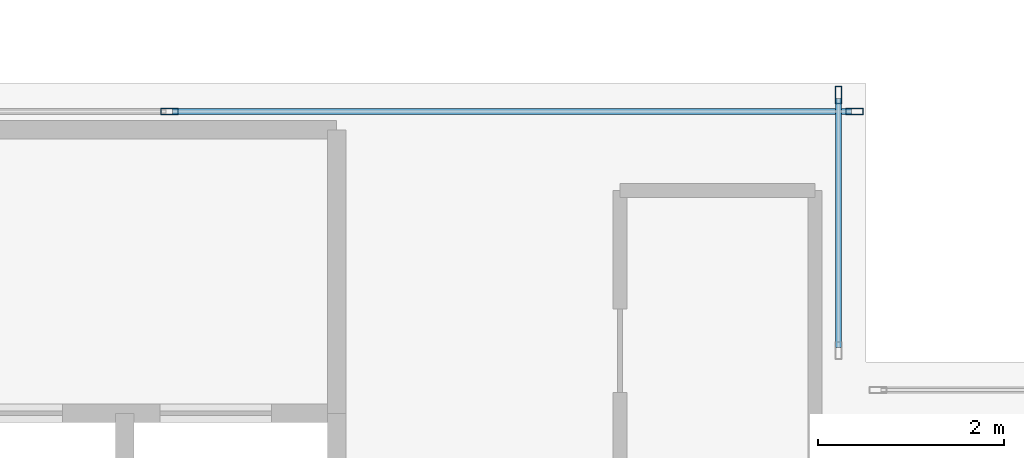
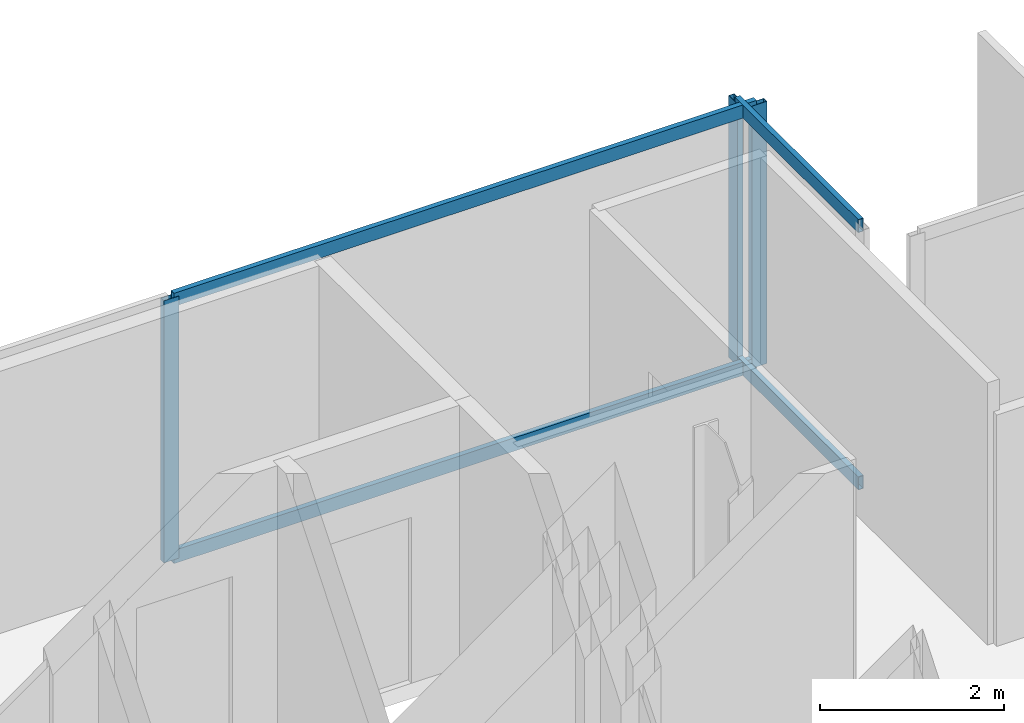
# One storey, part 13 of 26: 7 members, 2 elements without a shape of their own.
"""IFC4 building model written with IfcOpenShell, lengths in metres."""

from ifc_helpers import new_model, si_unit, direction, frame, origin, origin_2d, place, context, subcontext, project, spatial, hollow_rectangle, extrude, material, layer, layer_set, material_profile, profile_set, type_object, element, aggregate, save


model = new_model("IFC4")

# Units and contexts
model_context = context("Model", 3, precision=1e-05, world=origin(), true_north=direction((0.0, 1.0)))
body_context = subcontext(model_context, "Body", "Model", "MODEL_VIEW")
ifc_project = project(units=[si_unit("LENGTHUNIT", "METRE"), si_unit("AREAUNIT", "SQUARE_METRE"), si_unit("VOLUMEUNIT", "CUBIC_METRE"), si_unit("PLANEANGLEUNIT", "RADIAN"), si_unit("MASSUNIT", "GRAM", prefix="KILO"), si_unit("THERMODYNAMICTEMPERATUREUNIT", "KELVIN"), si_unit("POWERUNIT", "WATT")], contexts=[model_context])

# Site, building, storey
site_placement = place(None, origin())
site = spatial("IfcSite", under=ifc_project, at=site_placement, CompositionType="ELEMENT")
building_placement = place(site_placement, origin())
building = spatial("IfcBuilding", under=site, at=building_placement, Name="Svarakhadi Broadcast Tower", CompositionType="ELEMENT")
storey_placement = place(building_placement, frame((0.0, 0.0, 195.449951171875)))
storey = spatial("IfcBuildingStorey", under=building, at=storey_placement, Name="L48", CompositionType="ELEMENT", Elevation=195.449951171875)

# Curtain wall, members
ifc_material = material(Name="Anodised Bronze Aluminium AA 6063-T6", Category="aluminium")
ifc_layer = layer(ifc_material, 0.18994140625)
ifc_layer_set = layer_set([ifc_layer], Name="Anodised Bronze Aluminium AA 6063-T6")
curtain_wall_type = type_object("IfcCurtainWallType", Name="CW_Sys_04", PredefinedType="NOTDEFINED", material=ifc_layer_set)
curtain_wall_1_placement = place(storey_placement, origin())
curtain_wall_1 = element("IfcCurtainWall", 1, at=curtain_wall_1_placement, inside=storey, type_object=curtain_wall_type, Name="L48 Unitised Facade Curtain Wall 10", PredefinedType="NOTDEFINED")
ifc_material_profile_1 = material_profile(ifc_material, hollow_rectangle(XDim=0.070068359375, YDim=0.18994140625, WallThickness=0.005615234375, at=origin_2d()), Name="ALU MULLION 190x70x6")
ifc_profile_set_1 = profile_set([ifc_material_profile_1], Name="Anodised Bronze Aluminium AA 6063-T6")
member_type_1 = type_object("IfcMemberType", Name="CW_Sys_04_Mul", PredefinedType="MULLION", material=ifc_profile_set_1)
member_1_placement = place(storey_placement, frame((31.5, 23.699951171875, 0.0), z_axis=(0.0, 0.0, 1.0), x_axis=(0.0, 1.0, 0.0)))
member_1 = element("IfcMember", 2, at=member_1_placement, type_object=member_type_1, Name="CW-04 mullion 2", PredefinedType="MULLION", context=body_context, shape_type="SweptSolid", body=[
    extrude(hollow_rectangle(XDim=0.070068359375, YDim=0.18994140625, WallThickness=0.005615234375, at=origin_2d()), origin(), (0.0, 0.0, 1.0), 3.47509765625),
])
member_2_placement = place(storey_placement, frame((38.875, 23.699951171875, 0.0), z_axis=(0.0, 0.0, 1.0), x_axis=(0.0, 1.0, 0.0)))
member_2 = element("IfcMember", 3, at=member_2_placement, type_object=member_type_1, Name="CW-04 mullion 3", PredefinedType="MULLION", context=body_context, shape_type="SweptSolid", body=[
    extrude(hollow_rectangle(XDim=0.070068359375, YDim=0.18994140625, WallThickness=0.005615234375, at=origin_2d()), origin(), (0.0, 0.0, 1.0), 3.47509765625),
])

# Curtain wall, member
curtain_wall_2_placement = place(storey_placement, origin())
curtain_wall_2 = element("IfcCurtainWall", 4, at=curtain_wall_2_placement, inside=storey, type_object=curtain_wall_type, Name="L48 Unitised Facade Curtain Wall 11", PredefinedType="NOTDEFINED")
member_3_placement = place(storey_placement, frame((38.699951171875, 23.875, 0.0), z_axis=(0.0, 0.0, 1.0), x_axis=(1.0, 0.0, 0.0)))
member_3 = element("IfcMember", 5, at=member_3_placement, type_object=member_type_1, Name="CW-04 mullion 1", PredefinedType="MULLION", context=body_context, shape_type="SweptSolid", body=[
    extrude(hollow_rectangle(XDim=0.070068359375, YDim=0.18994140625, WallThickness=0.005615234375, at=origin_2d()), origin(), (0.0, 0.0, 1.0), 3.47509765625),
])

# Member
ifc_material_profile_2 = material_profile(ifc_material, hollow_rectangle(XDim=0.06494140625, YDim=0.175048828125, WallThickness=0.0048828125, at=origin_2d()), Name="ALU TRANSOM 175x65x5")
ifc_profile_set_2 = profile_set([ifc_material_profile_2], Name="Anodised Bronze Aluminium AA 6063-T6")
member_type_2 = type_object("IfcMemberType", Name="CW_Sys_04_Trn", PredefinedType="USERDEFINED", material=ifc_profile_set_2)
member_4_placement = place(storey_placement, frame((31.534912109375, 23.699951171875, 0.032470703125), z_axis=(1.0, 0.0, 0.0), x_axis=(0.0, 1.0, 0.0)))
member_4 = element("IfcMember", 6, at=member_4_placement, type_object=member_type_2, Name="CW-04 transom 2.1", ObjectType="TRANSOM", PredefinedType="USERDEFINED", context=body_context, shape_type="SweptSolid", body=[
    extrude(hollow_rectangle(XDim=0.06494140625, YDim=0.175048828125, WallThickness=0.0048828125, at=origin_2d()), origin(), (0.0, 0.0, 1.0), 7.30517578125),
])

member_5_placement = place(storey_placement, frame((31.534912109375, 23.699951171875, 3.442626953125), z_axis=(1.0, 0.0, 0.0), x_axis=(0.0, 1.0, 0.0)))
member_5 = element("IfcMember", 7, at=member_5_placement, type_object=member_type_2, Name="CW-04 transom 2.2", ObjectType="TRANSOM", PredefinedType="USERDEFINED", context=body_context, shape_type="SweptSolid", body=[
    extrude(hollow_rectangle(XDim=0.06494140625, YDim=0.175048828125, WallThickness=0.0048828125, at=origin_2d()), origin(), (0.0, 0.0, 1.0), 7.30517578125),
])

aggregate(curtain_wall_1, [member_1, member_2, member_4, member_5])

member_6_placement = place(storey_placement, frame((38.699951171875, 23.840087890625, 0.032470703125), z_axis=(0.0, -1.0, 0.0), x_axis=(1.0, 0.0, 0.0)))
member_6 = element("IfcMember", 8, at=member_6_placement, type_object=member_type_2, Name="CW-04 transom 1.1", ObjectType="TRANSOM", PredefinedType="USERDEFINED", context=body_context, shape_type="SweptSolid", body=[
    extrude(hollow_rectangle(XDim=0.06494140625, YDim=0.175048828125, WallThickness=0.0048828125, at=origin_2d()), origin(), (0.0, 0.0, 1.0), 2.68017578125),
])

member_7_placement = place(storey_placement, frame((38.699951171875, 23.840087890625, 3.442626953125), z_axis=(0.0, -1.0, 0.0), x_axis=(1.0, 0.0, 0.0)))
member_7 = element("IfcMember", 9, at=member_7_placement, type_object=member_type_2, Name="CW-04 transom 1.2", ObjectType="TRANSOM", PredefinedType="USERDEFINED", context=body_context, shape_type="SweptSolid", body=[
    extrude(hollow_rectangle(XDim=0.06494140625, YDim=0.175048828125, WallThickness=0.0048828125, at=origin_2d()), origin(), (0.0, 0.0, 1.0), 2.68017578125),
])

aggregate(curtain_wall_2, [member_3, member_6, member_7])

save(model, "model.ifc")
